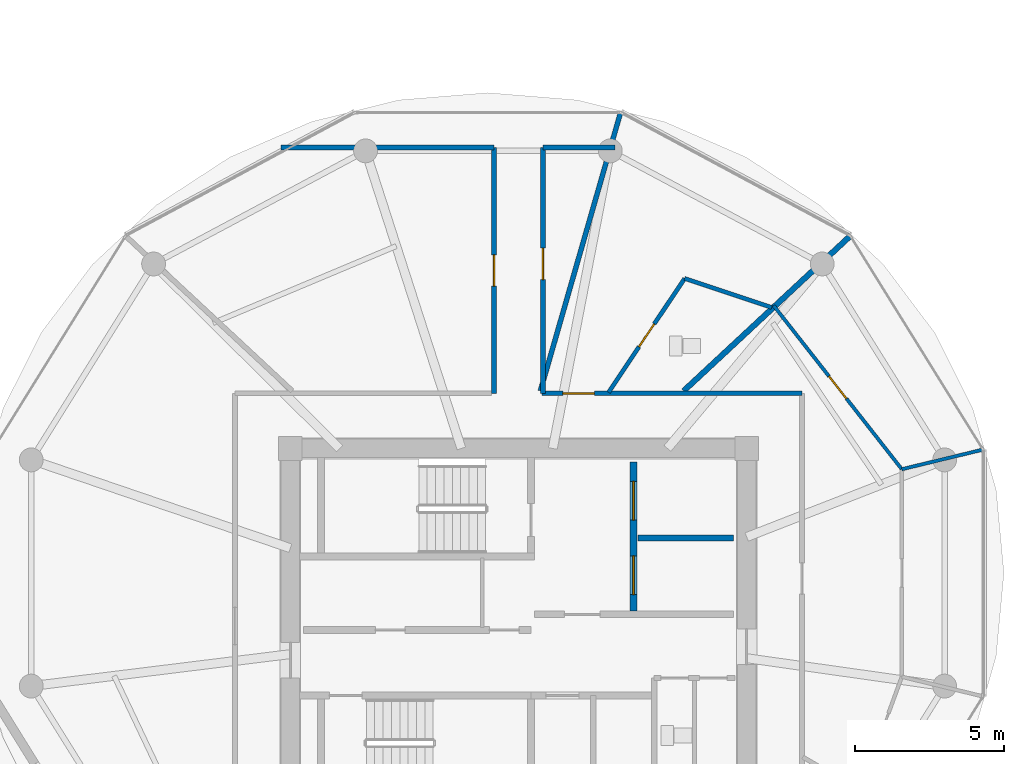
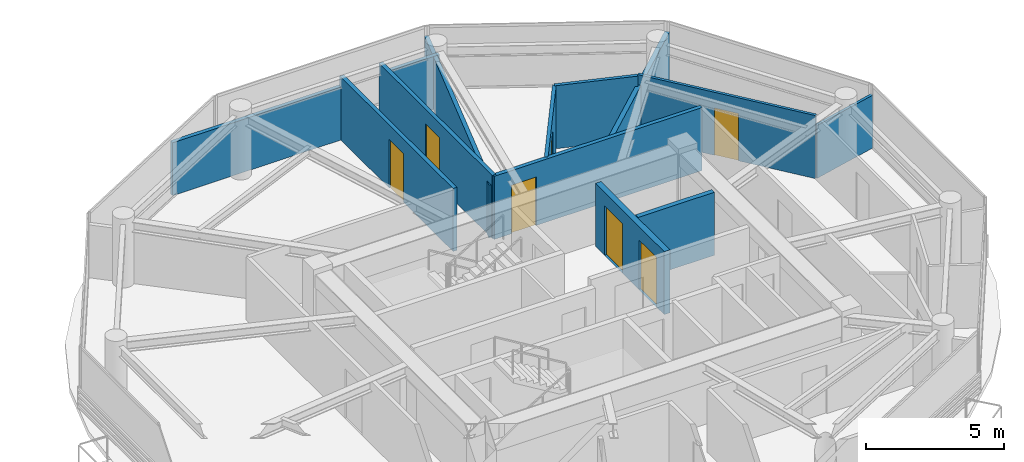
# One storey, part 16 of 21: 13 walls, 7 doors, 7 openings.
"""IFC4 building model written with IfcOpenShell, lengths in metres."""

from ifc_helpers import new_model, si_unit, direction, frame, frame_2d, origin, place, context, subcontext, project, spatial, rectangle, extrude, source, transform, mapped, material, layer, layer_set, type_object, type_shapes, element, fill, save


model = new_model("IFC4")

# Units and contexts
model_context = context("Model", 3, precision=1e-05, world=origin(), true_north=direction((0.0, 1.0)))
body_context = subcontext(model_context, "Body", "Model", "MODEL_VIEW")
ifc_project = project(units=[si_unit("LENGTHUNIT", "METRE"), si_unit("AREAUNIT", "SQUARE_METRE"), si_unit("VOLUMEUNIT", "CUBIC_METRE"), si_unit("PLANEANGLEUNIT", "RADIAN"), si_unit("MASSUNIT", "GRAM", prefix="KILO")], contexts=[model_context])

# Site, building, storey
site_placement = place(None, origin())
site = spatial("IfcSite", under=ifc_project, at=site_placement, CompositionType="ELEMENT")
building_placement = place(site_placement, origin())
building = spatial("IfcBuilding", under=site, at=building_placement, Name="Norrkilde Senior Care Towers", CompositionType="ELEMENT")
storey_placement = place(building_placement, frame((0.0, 0.0, 146.5)))
storey = spatial("IfcBuildingStorey", under=building, at=storey_placement, Name="L45", CompositionType="ELEMENT", Elevation=146.5)

# Wall, openings, doors
ifc_material_1 = material(Name="Concrete C45/55", Category="concrete")
ifc_layer_1 = layer(ifc_material_1, 0.239990234375)
ifc_layer_set_1 = layer_set([ifc_layer_1], Name="Concrete C45/55")
wall_type_1 = type_object("IfcWallType", Name="Lift and Plant Rated Enclosure Partition 240", PredefinedType="PARTITIONING", material=ifc_layer_set_1)
shared_shape_1 = source(origin(), body_context, "Body", "SweptSolid", [
    extrude(rectangle(XDim=5.0, YDim=0.239990234375, at=frame_2d((2.5, 0.0))), origin(), (0.0, 0.0, 1.0), 2.794921875),
])
type_shapes(wall_type_1, [shared_shape_1])
wall_1_placement = place(storey_placement, frame((31.860107421875, 0.5, 0.0), z_axis=(0.0, 0.0, 1.0), x_axis=(0.0, 1.0, 0.0)))
wall_1 = element("IfcWall", 1, at=wall_1_placement, inside=storey, type_object=wall_type_1, Name="WL-INT-L45-E-FFLE", PredefinedType="PARTITIONING", context=body_context, shape_type="MappedRepresentation", body=[
    mapped(shared_shape_1, transform((0.0, 0.0, 0.0), x_axis=(1.0, 0.0, 0.0), y_axis=(0.0, 1.0, 0.0), z_axis=(0.0, 0.0, 1.0), scale=1.0)),
])
opening_1_placement = place(wall_1_placement, frame((3.050048828125, 0.0, 0.0)))
opening_1 = element("IfcOpeningElement", 2, at=opening_1_placement, cuts=wall_1, Name="Opening LD-02", PredefinedType="OPENING", context=body_context, shape_type="SweptSolid", body=[
    extrude(rectangle(XDim=1.300048828125, YDim=2.199951171875, at=frame_2d((0.64990234375, 1.10009765625))), frame((0.0, 0.1298828125, 0.0), z_axis=(0.0, -1.0, 0.0), x_axis=(1.0, 0.0, 0.0)), (0.0, 0.0, 1.0), 0.260009765625),
])
opening_2_placement = place(wall_1_placement, frame((0.550048828125, 0.0, 0.0)))
opening_2 = element("IfcOpeningElement", 3, at=opening_2_placement, cuts=wall_1, Name="Opening LD-02", PredefinedType="OPENING", context=body_context, shape_type="SweptSolid", body=[
    extrude(rectangle(XDim=1.300048828125, YDim=2.199951171875, at=frame_2d((0.64990234375, 1.10009765625))), frame((0.0, 0.1298828125, 0.0), z_axis=(0.0, -1.0, 0.0), x_axis=(1.0, 0.0, 0.0)), (0.0, 0.0, 1.0), 0.260009765625),
])
ifc_material_2 = material(Name="Stainless Steel", Category="steel")
door_type_1 = type_object("IfcDoorType", Name="Stretcher and FFL Landing Sliding Door 1300x2200", OperationType="NOTDEFINED", PredefinedType="DOOR", material=ifc_material_2)
shared_shape_2 = source(origin(), body_context, "Body", "SweptSolid", [
    extrude(rectangle(XDim=1.300048828125, YDim=2.199951171875, at=frame_2d((0.64990234375, 1.10009765625))), frame((0.0, 0.02490234375, 0.0), z_axis=(0.0, -1.0, 0.0), x_axis=(1.0, 0.0, 0.0)), (0.0, 0.0, 1.0), 0.050048828125),
])
type_shapes(door_type_1, [shared_shape_2])
door_1_placement = place(opening_1_placement, origin())
door_1 = element("IfcDoor", 4, at=door_1_placement, inside=storey, type_object=door_type_1, Name="L45 Firefighting Lift E1 Landing Door", OperationType="SLIDING_TO_LEFT", OverallHeight=2.199951171875, OverallWidth=1.300048828125, PredefinedType="DOOR", context=body_context, shape_type="MappedRepresentation", body=[
    mapped(shared_shape_2, transform((0.0, 0.0, 0.0), x_axis=(1.0, 0.0, 0.0), y_axis=(0.0, 1.0, 0.0), z_axis=(0.0, 0.0, 1.0), scale=1.0)),
])
fill(opening_1, door_1)
door_2_placement = place(opening_2_placement, origin())
door_2 = element("IfcDoor", 5, at=door_2_placement, inside=storey, type_object=door_type_1, Name="L45 Stretcher Lift E1 Landing Door", OperationType="SLIDING_TO_RIGHT", OverallHeight=2.199951171875, OverallWidth=1.300048828125, PredefinedType="DOOR", context=body_context, shape_type="MappedRepresentation", body=[
    mapped(shared_shape_2, transform((0.0, 0.0, 0.0), x_axis=(1.0, 0.0, 0.0), y_axis=(0.0, 1.0, 0.0), z_axis=(0.0, 0.0, 1.0), scale=1.0)),
])
fill(opening_2, door_2)

# Walls
ifc_layer_2 = layer(ifc_material_1, 0.199951171875)
ifc_layer_set_2 = layer_set([ifc_layer_2], Name="Concrete C45/55")
wall_type_2 = type_object("IfcWallType", Name="Shaft Division and Plant Partition 200", PredefinedType="PARTITIONING", material=ifc_layer_set_2)
shared_shape_3 = source(origin(), body_context, "Body", "SweptSolid", [
    extrude(rectangle(XDim=3.199951171875, YDim=0.199951171875, at=frame_2d((1.60009765625, 0.0))), origin(), (0.0, 0.0, 1.0), 2.794921875),
])
type_shapes(wall_type_2, [shared_shape_3])
wall_2_placement = place(storey_placement, frame((32.0, 2.949951171875, 0.0), z_axis=(0.0, 0.0, 1.0), x_axis=(1.0, 0.0, 0.0)))
element("IfcWall", 6, at=wall_2_placement, inside=storey, type_object=wall_type_2, Name="WL-INT-L45-E-FFLDIV", PredefinedType="PARTITIONING", context=body_context, shape_type="MappedRepresentation", body=[
    mapped(shared_shape_3, transform((0.0, 0.0, 0.0), x_axis=(1.0, 0.0, 0.0), y_axis=(0.0, 1.0, 0.0), z_axis=(0.0, 0.0, 1.0), scale=1.0)),
])
ifc_material_3 = material(Name="Gypsum Acoustic Board")
ifc_layer_3 = layer(ifc_material_3, 0.1650390625)
ifc_layer_set_3 = layer_set([ifc_layer_3], Name="Gypsum Acoustic Board")
wall_type_3 = type_object("IfcWallType", Name="Corridor Rated Partition 165", PredefinedType="PARTITIONING", material=ifc_layer_set_3)
shared_shape_4 = source(origin(), body_context, "Body", "SweptSolid", [
    extrude(rectangle(XDim=9.73046875, YDim=0.1650390625, at=frame_2d((4.865234375, 0.0))), origin(), (0.0, 0.0, 1.0), 2.344970703125),
])
wall_3_placement = place(storey_placement, frame((28.7333984375, 7.8798828125, 0.0), z_axis=(0.0, 0.0, 1.0), x_axis=(0.27679492614, 0.960929013436, 0.0)))
element("IfcWall", 7, at=wall_3_placement, inside=storey, type_object=wall_type_3, Name="WL-INT-L45-E-DEM-02-0", PredefinedType="PARTITIONING", context=body_context, shape_type="MappedRepresentation", body=[
    mapped(shared_shape_4, transform((0.0, 0.0, 0.0), x_axis=(1.0, 0.0, 0.0), y_axis=(0.0, 1.0, 0.0), z_axis=(0.0, 0.0, 1.0), scale=1.0)),
])

# Wall, opening, door
shared_shape_5 = source(origin(), body_context, "Body", "SweptSolid", [
    extrude(rectangle(XDim=8.2353515625, YDim=0.1650390625, at=frame_2d((4.11767578125, 0.0))), origin(), (0.0, 0.0, 1.0), 2.794921875),
])
wall_4_placement = place(storey_placement, frame((27.179931640625, 7.800048828125, 0.0), z_axis=(0.0, 0.0, 1.0), x_axis=(0.0, 1.0, 0.0)))
wall_4 = element("IfcWall", 8, at=wall_4_placement, inside=storey, type_object=wall_type_3, Name="WL-INT-L45-E-PKW-NWL", PredefinedType="PARTITIONING", context=body_context, shape_type="MappedRepresentation", body=[
    mapped(shared_shape_5, transform((0.0, 0.0, 0.0), x_axis=(1.0, 0.0, 0.0), y_axis=(0.0, 1.0, 0.0), z_axis=(0.0, 0.0, 1.0), scale=1.0)),
])
opening_3_placement = place(wall_4_placement, frame((3.5927734375, 0.0, 0.0)))
opening_3 = element("IfcOpeningElement", 9, at=opening_3_placement, cuts=wall_4, Name="Opening D-06", PredefinedType="OPENING", context=body_context, shape_type="SweptSolid", body=[
    extrude(rectangle(XDim=1.050048828125, YDim=2.14990234375, at=frame_2d((0.52490234375, 1.074951171875))), frame((0.0, 0.092529296875, 0.0), z_axis=(0.0, -1.0, 0.0), x_axis=(1.0, 0.0, 0.0)), (0.0, 0.0, 1.0), 0.18505859375),
])
ifc_material_4 = material(Name="Nordic Ash Timber", Category="wood")
door_type_2 = type_object("IfcDoorType", Name="Apartment Entrance Fire Door 1050x2150", OperationType="NOTDEFINED", PredefinedType="DOOR", material=ifc_material_4)
shared_shape_6 = source(origin(), body_context, "Body", "SweptSolid", [
    extrude(rectangle(XDim=1.050048828125, YDim=2.14990234375, at=frame_2d((0.52490234375, 1.074951171875))), frame((0.0, 0.02490234375, 0.0), z_axis=(0.0, -1.0, 0.0), x_axis=(1.0, 0.0, 0.0)), (0.0, 0.0, 1.0), 0.050048828125),
])
type_shapes(door_type_2, [shared_shape_6])
door_3_placement = place(opening_3_placement, frame((1.050048828125, 0.0, 0.0), z_axis=(0.0, 0.0, 1.0), x_axis=(-1.0, 0.0, 0.0)))
door_3 = element("IfcDoor", 10, at=door_3_placement, inside=storey, type_object=door_type_2, Name="L45 Reading Lounge NWL Door", OperationType="SINGLE_SWING_RIGHT", OverallHeight=2.14990234375, OverallWidth=1.050048828125, PredefinedType="DOOR", context=body_context, shape_type="MappedRepresentation", body=[
    mapped(shared_shape_6, transform((0.0, 0.0, 0.0), x_axis=(1.0, 0.0, 0.0), y_axis=(0.0, 1.0, 0.0), z_axis=(0.0, 0.0, 1.0), scale=1.0)),
])
fill(opening_3, door_3)

wall_5_placement = place(storey_placement, frame((28.820068359375, 7.800048828125, 0.0), z_axis=(0.0, 0.0, 1.0), x_axis=(0.0, 1.0, 0.0)))
wall_5 = element("IfcWall", 11, at=wall_5_placement, inside=storey, type_object=wall_type_3, Name="WL-INT-L45-E-PKW-NEL", PredefinedType="PARTITIONING", context=body_context, shape_type="MappedRepresentation", body=[
    mapped(shared_shape_5, transform((0.0, 0.0, 0.0), x_axis=(1.0, 0.0, 0.0), y_axis=(0.0, 1.0, 0.0), z_axis=(0.0, 0.0, 1.0), scale=1.0)),
])
opening_4_placement = place(wall_5_placement, frame((3.81298828125, 0.0, 0.0)))
opening_4 = element("IfcOpeningElement", 12, at=opening_4_placement, cuts=wall_5, Name="Opening D-06", PredefinedType="OPENING", context=body_context, shape_type="SweptSolid", body=[
    extrude(rectangle(XDim=1.050048828125, YDim=2.14990234375, at=frame_2d((0.52490234375, 1.074951171875))), frame((0.0, 0.092529296875, 0.0), z_axis=(0.0, -1.0, 0.0), x_axis=(1.0, 0.0, 0.0)), (0.0, 0.0, 1.0), 0.18505859375),
])
door_4_placement = place(opening_4_placement, frame((1.050048828125, 0.0, 0.0), z_axis=(0.0, 0.0, 1.0), x_axis=(-1.0, 0.0, 0.0)))
door_4 = element("IfcDoor", 13, at=door_4_placement, inside=storey, type_object=door_type_2, Name="L45 Reading Lounge NEL Door", OperationType="SINGLE_SWING_RIGHT", OverallHeight=2.14990234375, OverallWidth=1.050048828125, PredefinedType="DOOR", context=body_context, shape_type="MappedRepresentation", body=[
    mapped(shared_shape_6, transform((0.0, 0.0, 0.0), x_axis=(1.0, 0.0, 0.0), y_axis=(0.0, 1.0, 0.0), z_axis=(0.0, 0.0, 1.0), scale=1.0)),
])
fill(opening_4, door_4)

# Walls
shared_shape_7 = source(origin(), body_context, "Body", "SweptSolid", [
    extrude(rectangle(XDim=2.418701171875, YDim=0.1650390625, at=frame_2d((1.20947265625, 0.0))), origin(), (0.0, 0.0, 1.0), 2.344970703125),
])
wall_6_placement = place(storey_placement, frame((28.820068359375, 16.035400390625, 0.0), z_axis=(0.0, 0.0, 1.0), x_axis=(1.0, 0.0, 0.0)))
element("IfcWall", 14, at=wall_6_placement, inside=storey, type_object=wall_type_3, Name="WL-INT-L45-E-PKH-NEL-0", PredefinedType="PARTITIONING", context=body_context, shape_type="MappedRepresentation", body=[
    mapped(shared_shape_7, transform((0.0, 0.0, 0.0), x_axis=(1.0, 0.0, 0.0), y_axis=(0.0, 1.0, 0.0), z_axis=(0.0, 0.0, 1.0), scale=1.0)),
])
shared_shape_8 = source(origin(), body_context, "Body", "SweptSolid", [
    extrude(rectangle(XDim=7.138916015625, YDim=0.1650390625, at=frame_2d((3.5693359375, 0.0))), origin(), (0.0, 0.0, 1.0), 2.344970703125),
])
wall_7_placement = place(storey_placement, frame((20.041015625, 16.035400390625, 0.0), z_axis=(0.0, 0.0, 1.0), x_axis=(1.0, 0.0, 0.0)))
element("IfcWall", 15, at=wall_7_placement, inside=storey, type_object=wall_type_3, Name="WL-INT-L45-E-PKH-NWL-0", PredefinedType="PARTITIONING", context=body_context, shape_type="MappedRepresentation", body=[
    mapped(shared_shape_8, transform((0.0, 0.0, 0.0), x_axis=(1.0, 0.0, 0.0), y_axis=(0.0, 1.0, 0.0), z_axis=(0.0, 0.0, 1.0), scale=1.0)),
])

# Wall, opening, door
shared_shape_9 = source(origin(), body_context, "Body", "SweptSolid", [
    extrude(rectangle(XDim=8.719482421875, YDim=0.1650390625, at=frame_2d((4.35986328125, 0.0))), origin(), (0.0, 0.0, 1.0), 2.794921875),
])
type_shapes(wall_type_3, [shared_shape_4, shared_shape_5, shared_shape_7, shared_shape_8, shared_shape_9])
wall_8_placement = place(storey_placement, frame((28.780517578125, 7.800048828125, 0.0), z_axis=(0.0, 0.0, 1.0), x_axis=(1.0, 0.0, 0.0)))
wall_8 = element("IfcWall", 16, at=wall_8_placement, inside=storey, type_object=wall_type_3, Name="WL-INT-L45-E-CRW-N-1", PredefinedType="PARTITIONING", context=body_context, shape_type="MappedRepresentation", body=[
    mapped(shared_shape_9, transform((0.0, 0.0, 0.0), x_axis=(1.0, 0.0, 0.0), y_axis=(0.0, 1.0, 0.0), z_axis=(0.0, 0.0, 1.0), scale=1.0)),
])
opening_5_placement = place(wall_8_placement, frame((0.710205078125, 0.0, 0.0)))
opening_5 = element("IfcOpeningElement", 17, at=opening_5_placement, cuts=wall_8, Name="Opening D-06", PredefinedType="OPENING", context=body_context, shape_type="SweptSolid", body=[
    extrude(rectangle(XDim=1.050048828125, YDim=2.14990234375, at=frame_2d((0.52490234375, 1.074951171875))), frame((0.0, 0.092529296875, 0.0), z_axis=(0.0, -1.0, 0.0), x_axis=(1.0, 0.0, 0.0)), (0.0, 0.0, 1.0), 0.18505859375),
])
door_5_placement = place(opening_5_placement, frame((1.050048828125, 0.0, 0.0), z_axis=(0.0, 0.0, 1.0), x_axis=(-1.0, 0.0, 0.0)))
door_5 = element("IfcDoor", 18, at=door_5_placement, inside=storey, type_object=door_type_2, Name="L45 Studio 45C Entrance Door", OperationType="SINGLE_SWING_LEFT", OverallHeight=2.14990234375, OverallWidth=1.050048828125, PredefinedType="DOOR", context=body_context, shape_type="MappedRepresentation", body=[
    mapped(shared_shape_6, transform((0.0, 0.0, 0.0), x_axis=(1.0, 0.0, 0.0), y_axis=(0.0, 1.0, 0.0), z_axis=(0.0, 0.0, 1.0), scale=1.0)),
])
fill(opening_5, door_5)

# Walls
ifc_layer_4 = layer(ifc_material_3, 0.18994140625)
ifc_layer_set_4 = layer_set([ifc_layer_4], Name="Gypsum Acoustic Board")
wall_type_4 = type_object("IfcWallType", Name="Unit Demising Acoustic Wall 190", PredefinedType="PARTITIONING", material=ifc_layer_set_4)
shared_shape_10 = source(origin(), body_context, "Body", "SweptSolid", [
    extrude(rectangle(XDim=7.64794921875, YDim=0.18994140625, at=frame_2d((3.823974609375, 0.0))), origin(), (0.0, 0.0, 1.0), 2.344970703125),
])
type_shapes(wall_type_4, [shared_shape_10])
wall_9_placement = place(storey_placement, frame((33.53759765625, 7.8798828125, 0.0), z_axis=(0.0, 0.0, 1.0), x_axis=(0.732167856666, 0.681124239522, 0.0)))
element("IfcWall", 19, at=wall_9_placement, inside=storey, type_object=wall_type_4, Name="WL-INT-L45-E-DEM-01-0", PredefinedType="PARTITIONING", context=body_context, shape_type="MappedRepresentation", body=[
    mapped(shared_shape_10, transform((0.0, 0.0, 0.0), x_axis=(1.0, 0.0, 0.0), y_axis=(0.0, 1.0, 0.0), z_axis=(0.0, 0.0, 1.0), scale=1.0)),
])
ifc_layer_5 = layer(ifc_material_3, 0.114990234375)
ifc_layer_set_5 = layer_set([ifc_layer_5], Name="Gypsum Acoustic Board")
wall_type_5 = type_object("IfcWallType", Name="Internal Room Partition 115", PredefinedType="PARTITIONING", material=ifc_layer_set_5)
shared_shape_11 = source(origin(), body_context, "Body", "SweptSolid", [
    extrude(rectangle(XDim=2.818359375, YDim=0.114990234375, at=frame_2d((1.4091796875, 0.0))), origin(), (0.0, 0.0, 1.0), 2.344970703125),
])
wall_10_placement = place(storey_placement, frame((40.849609375, 5.253662109375, 0.0), z_axis=(0.0, 0.0, 1.0), x_axis=(0.971949193017, 0.235190914353, 0.0)))
element("IfcWall", 20, at=wall_10_placement, inside=storey, type_object=wall_type_5, Name="WL-INT-L45-E-UBR-10-2", PredefinedType="PARTITIONING", context=body_context, shape_type="MappedRepresentation", body=[
    mapped(shared_shape_11, transform((0.0, 0.0, 0.0), x_axis=(1.0, 0.0, 0.0), y_axis=(0.0, 1.0, 0.0), z_axis=(0.0, 0.0, 1.0), scale=1.0)),
])

# Wall, opening, door
shared_shape_12 = source(origin(), body_context, "Body", "SweptSolid", [
    extrude(rectangle(XDim=6.966064453125, YDim=0.114990234375, at=frame_2d((3.48291015625, 0.0))), origin(), (0.0, 0.0, 1.0), 2.794921875),
])
type_shapes(wall_type_5, [shared_shape_11, shared_shape_12])
wall_11_placement = place(storey_placement, frame((40.849609375, 5.253662109375, 0.0), z_axis=(0.0, 0.0, 1.0), x_axis=(-0.616695640563, 0.787201681217, 0.0)))
wall_11 = element("IfcWall", 21, at=wall_11_placement, inside=storey, type_object=wall_type_5, Name="WL-INT-L45-E-UBC-10-2", PredefinedType="PARTITIONING", context=body_context, shape_type="MappedRepresentation", body=[
    mapped(shared_shape_12, transform((0.0, 0.0, 0.0), x_axis=(1.0, 0.0, 0.0), y_axis=(0.0, 1.0, 0.0), z_axis=(0.0, 0.0, 1.0), scale=1.0)),
])
opening_6_placement = place(wall_11_placement, frame((3.008056640625, 0.0, 0.0)))
opening_6 = element("IfcOpeningElement", 22, at=opening_6_placement, cuts=wall_11, Name="Opening D-07", PredefinedType="OPENING", context=body_context, shape_type="SweptSolid", body=[
    extrude(rectangle(XDim=0.949951171875, YDim=2.10009765625, at=frame_2d((0.47509765625, 1.050048828125))), frame((0.0, 0.0673828125, 0.0), z_axis=(0.0, -1.0, 0.0), x_axis=(1.0, 0.0, 0.0)), (0.0, 0.0, 1.0), 0.135009765625),
])
door_type_3 = type_object("IfcDoorType", Name="Internal Suite Bedroom Door 950x2100", OperationType="NOTDEFINED", PredefinedType="DOOR", material=ifc_material_4)
shared_shape_13 = source(origin(), body_context, "Body", "SweptSolid", [
    extrude(rectangle(XDim=0.949951171875, YDim=2.10009765625, at=frame_2d((0.47509765625, 1.050048828125))), frame((0.0, 0.02490234375, 0.0), z_axis=(0.0, -1.0, 0.0), x_axis=(1.0, 0.0, 0.0)), (0.0, 0.0, 1.0), 0.050048828125),
])
type_shapes(door_type_3, [shared_shape_13])
door_6_placement = place(opening_6_placement, frame((0.949951171875, 0.0, 0.0), z_axis=(0.0, 0.0, 1.0), x_axis=(-1.0, 0.0, 0.0)))
door_6 = element("IfcDoor", 23, at=door_6_placement, inside=storey, type_object=door_type_3, Name="Apartment 45B Bedroom 2 Door", OperationType="SINGLE_SWING_LEFT", OverallHeight=2.10009765625, OverallWidth=0.949951171875, PredefinedType="DOOR", context=body_context, shape_type="MappedRepresentation", body=[
    mapped(shared_shape_13, transform((0.0, 0.0, 0.0), x_axis=(1.0, 0.0, 0.0), y_axis=(0.0, 1.0, 0.0), z_axis=(0.0, 0.0, 1.0), scale=1.0)),
])
fill(opening_6, door_6)

ifc_layer_6 = layer(ifc_material_3, 0.139892578125)
ifc_layer_set_6 = layer_set([ifc_layer_6], Name="Gypsum Acoustic Board")
wall_type_6 = type_object("IfcWallType", Name="En-suite Wet Room Wall 140", PredefinedType="PARTITIONING", material=ifc_layer_set_6)
shared_shape_14 = source(origin(), body_context, "Body", "SweptSolid", [
    extrude(rectangle(XDim=4.593017578125, YDim=0.139892578125, at=frame_2d((2.29638671875, 0.0))), origin(), (0.0, 0.0, 1.0), 2.794921875),
])
wall_12_placement = place(storey_placement, frame((31.018798828125, 7.830078125, 0.0), z_axis=(0.0, 0.0, 1.0), x_axis=(0.555362412301, 0.831608436107, 0.0)))
wall_12 = element("IfcWall", 24, at=wall_12_placement, inside=storey, type_object=wall_type_6, Name="WL-INT-L45-E-ES-01", PredefinedType="PARTITIONING", context=body_context, shape_type="MappedRepresentation", body=[
    mapped(shared_shape_14, transform((0.0, 0.0, 0.0), x_axis=(1.0, 0.0, 0.0), y_axis=(0.0, 1.0, 0.0), z_axis=(0.0, 0.0, 1.0), scale=1.0)),
])
opening_7_placement = place(wall_12_placement, frame((1.83642578125, 0.0, 0.0)))
opening_7 = element("IfcOpeningElement", 25, at=opening_7_placement, cuts=wall_12, Name="Opening D-08", PredefinedType="OPENING", context=body_context, shape_type="SweptSolid", body=[
    extrude(rectangle(XDim=0.919921875, YDim=2.10009765625, at=frame_2d((0.4599609375, 1.050048828125))), frame((0.0, 0.079833984375, 0.0), z_axis=(0.0, -1.0, 0.0), x_axis=(1.0, 0.0, 0.0)), (0.0, 0.0, 1.0), 0.159912109375),
])
door_type_4 = type_object("IfcDoorType", Name="Accessible Wet Room Door 920x2100", OperationType="NOTDEFINED", PredefinedType="DOOR", material=ifc_material_4)
shared_shape_15 = source(origin(), body_context, "Body", "SweptSolid", [
    extrude(rectangle(XDim=0.919921875, YDim=2.10009765625, at=frame_2d((0.4599609375, 1.050048828125))), frame((0.0, 0.02490234375, 0.0), z_axis=(0.0, -1.0, 0.0), x_axis=(1.0, 0.0, 0.0)), (0.0, 0.0, 1.0), 0.050048828125),
])
type_shapes(door_type_4, [shared_shape_15])
door_7_placement = place(opening_7_placement, origin())
door_7 = element("IfcDoor", 26, at=door_7_placement, inside=storey, type_object=door_type_4, Name="L45 Studio 45C Bathroom Door", OperationType="SINGLE_SWING_RIGHT", OverallHeight=2.10009765625, OverallWidth=0.919921875, PredefinedType="DOOR", context=body_context, shape_type="MappedRepresentation", body=[
    mapped(shared_shape_15, transform((0.0, 0.0, 0.0), x_axis=(1.0, 0.0, 0.0), y_axis=(0.0, 1.0, 0.0), z_axis=(0.0, 0.0, 1.0), scale=1.0)),
])
fill(opening_7, door_7)

# Wall
shared_shape_16 = source(origin(), body_context, "Body", "SweptSolid", [
    extrude(rectangle(XDim=3.07666015625, YDim=0.139892578125, at=frame_2d((1.538330078125, 0.0))), origin(), (0.0, 0.0, 1.0), 2.794921875),
])
type_shapes(wall_type_6, [shared_shape_14, shared_shape_16])
wall_13_placement = place(storey_placement, frame((33.569580078125, 11.649658203125, 0.0), z_axis=(0.0, 0.0, 1.0), x_axis=(0.948635676976, -0.3163705934, 0.0)))
element("IfcWall", 27, at=wall_13_placement, inside=storey, type_object=wall_type_6, Name="WL-INT-L45-E-EF-01", PredefinedType="PARTITIONING", context=body_context, shape_type="MappedRepresentation", body=[
    mapped(shared_shape_16, transform((0.0, 0.0, 0.0), x_axis=(1.0, 0.0, 0.0), y_axis=(0.0, 1.0, 0.0), z_axis=(0.0, 0.0, 1.0), scale=1.0)),
])

save(model, "model.ifc")
